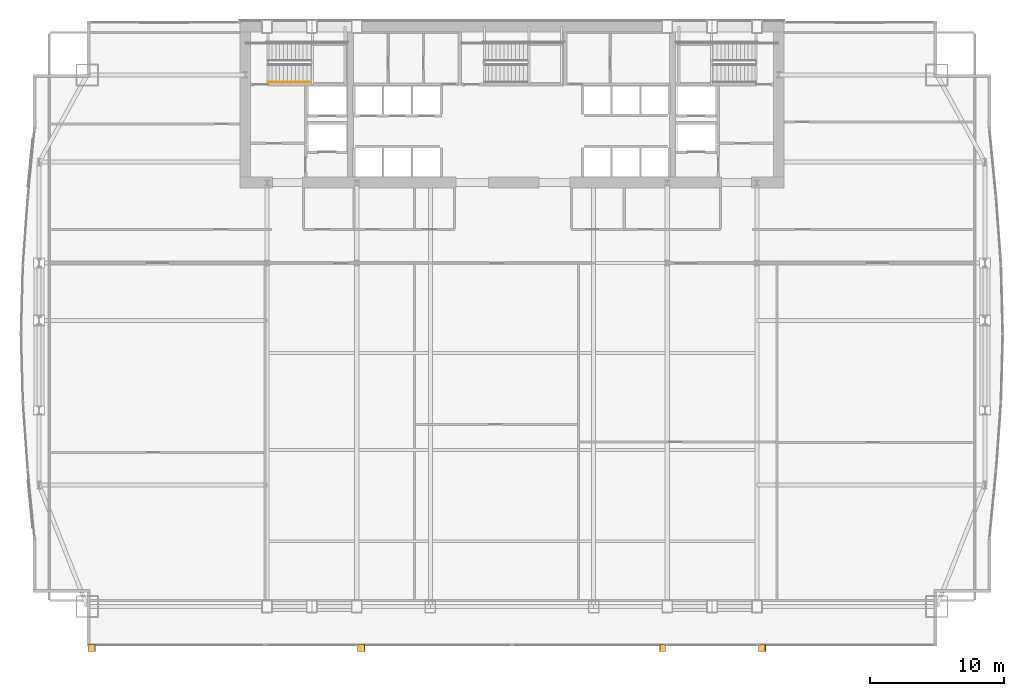
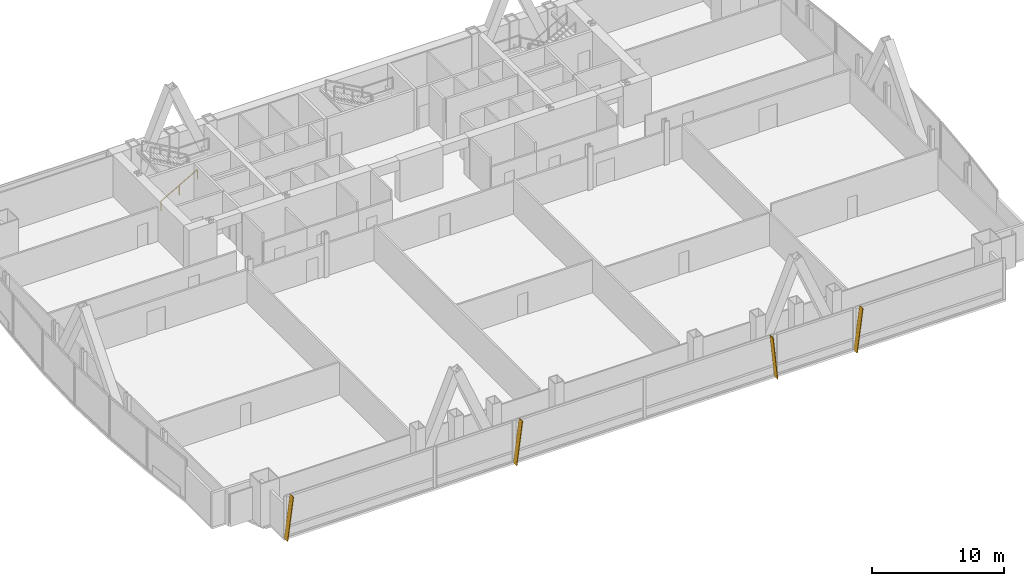
# One storey, part 32 of 33: 4 shading devices, 1 railing.
"""IFC4 building model written with IfcOpenShell, lengths in metres."""

from ifc_helpers import new_model, si_unit, direction, frame, origin, origin_2d, place, context, subcontext, project, spatial, polyline, rectangle, outline, extrude, material, layer, layer_set, type_object, element, save


model = new_model("IFC4")

# Units and contexts
model_context = context("Model", 3, precision=1e-05, world=origin(), true_north=direction((0.0, 1.0)))
body_context = subcontext(model_context, "Body", "Model", "MODEL_VIEW")
ifc_project = project(units=[si_unit("LENGTHUNIT", "METRE"), si_unit("AREAUNIT", "SQUARE_METRE"), si_unit("VOLUMEUNIT", "CUBIC_METRE"), si_unit("PLANEANGLEUNIT", "RADIAN"), si_unit("MASSUNIT", "GRAM", prefix="KILO")], contexts=[model_context])

# Site, building, storey
site_placement = place(None, origin())
site = spatial("IfcSite", under=ifc_project, at=site_placement, CompositionType="ELEMENT")
building_placement = place(site_placement, origin())
building = spatial("IfcBuilding", under=site, at=building_placement, Name="Khoronbel Lancet Exchange", CompositionType="ELEMENT")
storey_placement = place(building_placement, frame((0.0, 0.0, 73.800048828125)))
storey = spatial("IfcBuildingStorey", under=building, at=storey_placement, Name="L17", CompositionType="ELEMENT", Elevation=73.800048828125)

# Railing
ifc_material_1 = material(Name="Brushed Stainless Steel 316", Category="steel")
railing_type = type_object("IfcRailingType", Name="RL-STH92", PredefinedType="HANDRAIL", material=ifc_material_1)
railing_placement = place(storey_placement, frame((18.300048828125, 49.169921875, 0.16650390625)))
element("IfcRailing", 1, at=railing_placement, inside=storey, type_object=railing_type, Name="L17 ST1 stair handrail 1", PredefinedType="HANDRAIL", context=body_context, shape_type="SweptSolid", body=[
    extrude(rectangle(XDim=0.048095703125, YDim=0.048095703125, at=origin_2d()), frame((0.0, 0.0, 0.8759765625), z_axis=(0.86699087805, 0.0, 0.498324008431), x_axis=(0.0, 1.0, 0.0)), (0.0, 0.0, 1.0), 3.679443359375),
    extrude(rectangle(XDim=0.0419921875, YDim=0.0419921875, at=origin_2d()), origin(), (0.0, 0.0, 1.0), 0.851806640625),
    extrude(rectangle(XDim=0.0419921875, YDim=0.0419921875, at=origin_2d()), frame((1.594970703125, 0.0, 0.916748046875)), (0.0, 0.0, 1.0), 0.851806640625),
    extrude(rectangle(XDim=0.0419921875, YDim=0.0419921875, at=origin_2d()), frame((3.18994140625, 0.0, 1.83349609375)), (0.0, 0.0, 1.0), 0.851806640625),
])

# Shading devices
ifc_material_2 = material(Name="Bronze-Anodised Aluminium 6063-T6", Category="aluminium")
ifc_layer = layer(ifc_material_2, 0.054931640625, Name="Bronze-Anodised Aluminium 6063-T6")
ifc_layer_set = layer_set([ifc_layer], Name="Bronze-Anodised Aluminium 6063-T6")
shading_device_type = type_object("IfcShadingDeviceType", Name="SHD-FIN1", PredefinedType="USERDEFINED", material=ifc_layer_set)
for number, where, z_axis, x_axis, name in (
    (2, (4.91259765625, 7.31005859375, -0.080078125), (-0.991889216598, 0.0, 0.127105397195), (0.0, -1.0, 0.0), "Slanted bronze solar fin CW-L17-SWV-0"),
    (3, (24.972412109375, 7.31005859375, -0.080078125), (-0.991881465906, 0.0, 0.127165866462), (0.0, -1.0, 0.0), "Slanted bronze solar fin CW-L17-SCV-0"),
):
    element("IfcShadingDevice", number, at=place(storey_placement, frame(where, z_axis=z_axis, x_axis=x_axis)), inside=storey, type_object=shading_device_type, Name=name, ObjectType="FIN", PredefinedType="USERDEFINED", context=body_context, shape_type="SweptSolid", body=[
        extrude(outline(polyline([(0.0, 0.0), (0.52001953125, 0.0), (0.52001953125, 3.97216796875), (0.0, 3.97216796875), (0.0, 0.0)])), origin(), (0.0, 0.0, -1.0), 0.054931640625),
    ])
shading_device_1_placement = place(storey_placement, frame((47.87255859375, 7.31005859375, -0.080078125), z_axis=(0.995011517869, 0.0, 0.099760108806), x_axis=(0.0, -1.0, 0.0)))
element("IfcShadingDevice", 4, at=shading_device_1_placement, inside=storey, type_object=shading_device_type, Name="Slanted bronze solar fin CW-L17-SCV-2", ObjectType="FIN", PredefinedType="USERDEFINED", context=body_context, shape_type="SweptSolid", body=[
    extrude(outline(polyline([(0.0, 0.0), (0.52001953125, 0.0), (0.52001953125, -3.959716796875), (0.0, -3.959716796875), (0.0, 0.0)])), origin(), (0.0, 0.0, -1.0), 0.054931640625),
])
shading_device_2_placement = place(storey_placement, frame((54.7724609375, 7.31005859375, -0.080078125), z_axis=(-0.991881465906, 0.0, 0.127165866462), x_axis=(0.0, -1.0, 0.0)))
element("IfcShadingDevice", 5, at=shading_device_2_placement, inside=storey, type_object=shading_device_type, Name="Slanted bronze solar fin CW-L17-SEV-0", ObjectType="FIN", PredefinedType="USERDEFINED", context=body_context, shape_type="SweptSolid", body=[
    extrude(outline(polyline([(0.0, 0.0), (0.52001953125, 0.0), (0.52001953125, 3.97216796875), (0.0, 3.97216796875), (0.0, 0.0)])), origin(), (0.0, 0.0, -1.0), 0.054931640625),
])

save(model, "model.ifc")
